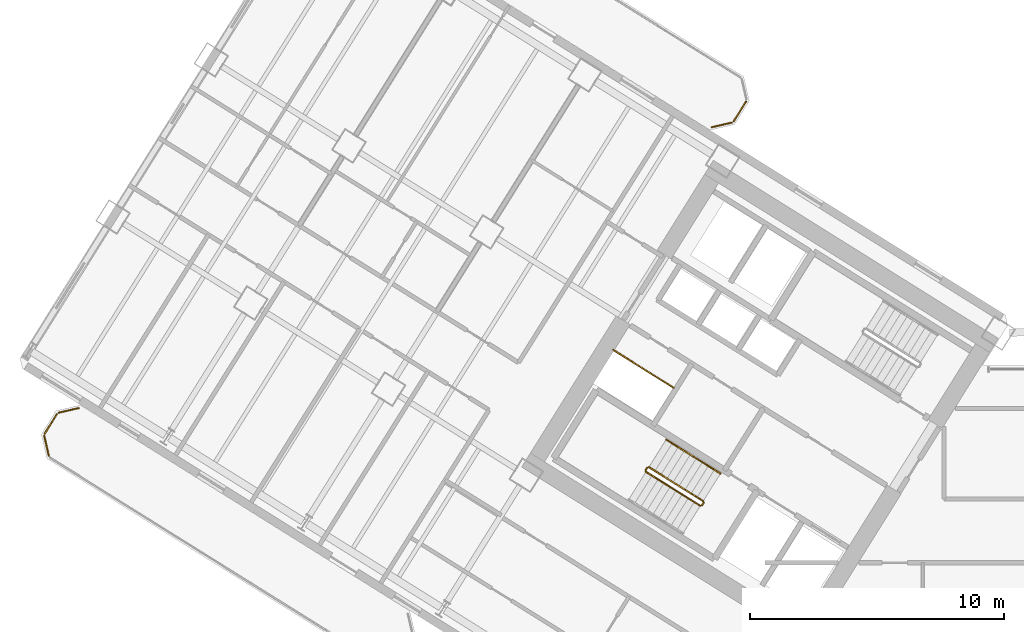
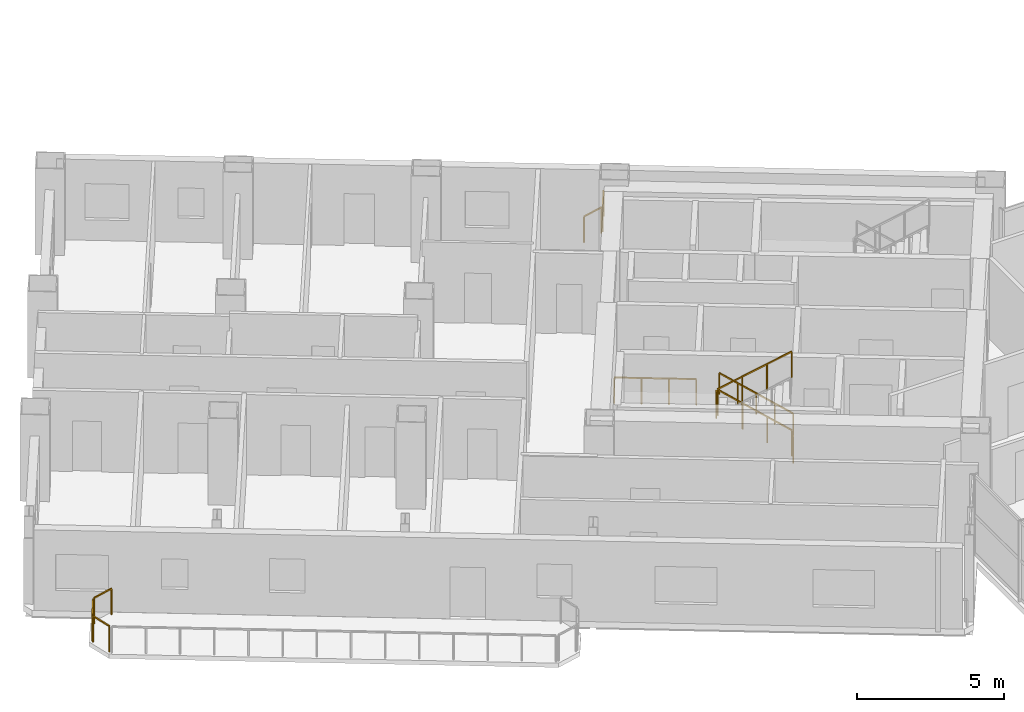
# One storey, part 22 of 24: 12 railings.
"""IFC4 building model written with IfcOpenShell, lengths in metres."""

from ifc_helpers import new_model, si_unit, direction, frame, origin, origin_2d, place, context, subcontext, project, spatial, rectangle, extrude, source, transform, mapped, material, type_object, element, save


model = new_model("IFC4")

# Units and contexts
model_context = context("Model", 3, precision=1e-05, world=origin(), true_north=direction((0.0, 1.0)))
body_context = subcontext(model_context, "Body", "Model", "MODEL_VIEW")
ifc_project = project(units=[si_unit("LENGTHUNIT", "METRE"), si_unit("AREAUNIT", "SQUARE_METRE"), si_unit("VOLUMEUNIT", "CUBIC_METRE"), si_unit("PLANEANGLEUNIT", "RADIAN"), si_unit("MASSUNIT", "GRAM", prefix="KILO")], contexts=[model_context])

# Site, building, storey
site_placement = place(None, origin())
site = spatial("IfcSite", under=ifc_project, at=site_placement, CompositionType="ELEMENT")
building_placement = place(site_placement, origin())
building = spatial("IfcBuilding", under=site, at=building_placement, Name="Tlacorven Tower", CompositionType="ELEMENT")
storey_placement = place(building_placement, frame((0.0, 0.0, 60.0)))
storey = spatial("IfcBuildingStorey", under=building, at=storey_placement, Name="L15", CompositionType="ELEMENT", Elevation=60.0)

# Railings
ifc_material = material(Name="Aluminium and painted steel balustrade", Category="steel")
railing_type_1 = type_object("IfcRailingType", Name="RL-GRD-1100", PredefinedType="GUARDRAIL", material=ifc_material)
shared_shape_1 = source(origin(), body_context, "Body", "SweptSolid", [
    extrude(rectangle(XDim=0.048095703125, YDim=0.048095703125, at=origin_2d()), frame((0.0, 0.0, 1.076171875), z_axis=(-0.848091358275, 0.529850024081, 0.0), x_axis=(-0.529850024081, -0.848091358275, 0.0)), (0.0, 0.0, 1.0), 2.800048828125),
    extrude(rectangle(XDim=0.0419921875, YDim=0.0419921875, at=origin_2d()), origin(), (0.0, 0.0, 1.0), 1.052001953125),
    extrude(rectangle(XDim=0.0419921875, YDim=0.0419921875, at=origin_2d()), frame((-0.79150390625, 0.49462890625, 0.0)), (0.0, 0.0, 1.0), 1.052001953125),
    extrude(rectangle(XDim=0.0419921875, YDim=0.0419921875, at=origin_2d()), frame((-1.583251953125, 0.989013671875, 0.0)), (0.0, 0.0, 1.0), 1.052001953125),
    extrude(rectangle(XDim=0.0419921875, YDim=0.0419921875, at=origin_2d()), frame((-2.374755859375, 1.483642578125, 0.0)), (0.0, 0.0, 1.0), 1.052001953125),
])
railing_1_placement = place(storey_placement, frame((27.9912109375, 22.32080078125, 0.0)))
element("IfcRailing", 1, at=railing_1_placement, inside=storey, type_object=railing_type_1, Name="L15 Electrical Riser W Shaft Guard 1", PredefinedType="GUARDRAIL", context=body_context, shape_type="MappedRepresentation", body=[
    mapped(shared_shape_1, transform((0.0, 0.0, 0.0), scale=1.0)),
])
railing_type_2 = type_object("IfcRailingType", Name="RL-BAL-1100", PredefinedType="BALUSTRADE", material=ifc_material)
shared_shape_2 = source(origin(), body_context, "Body", "SweptSolid", [
    extrude(rectangle(XDim=0.048095703125, YDim=0.048095703125, at=origin_2d()), frame((0.0, 0.0, 1.076171875), z_axis=(-0.52987865805, -0.848073468364, 0.0), x_axis=(0.848073468364, -0.52987865805, 0.0)), (0.0, 0.0, 1.0), 0.912353515625),
    extrude(rectangle(XDim=0.0419921875, YDim=0.0419921875, at=origin_2d()), origin(), (0.0, 0.0, 1.0), 1.052001953125),
    extrude(rectangle(XDim=0.0419921875, YDim=0.0419921875, at=origin_2d()), frame((-0.4833984375, -0.773681640625, 0.0)), (0.0, 0.0, 1.0), 1.052001953125),
])
railing_2_placement = place(storey_placement, frame((30.845947265625, 33.588623046875, 0.0)))
element("IfcRailing", 2, at=railing_2_placement, inside=storey, type_object=railing_type_2, Name="BAL-L15-W-IN Guard Railing 2", PredefinedType="BALUSTRADE", context=body_context, shape_type="MappedRepresentation", body=[
    mapped(shared_shape_2, transform((0.0, 0.0, 0.0), scale=1.0)),
])
shared_shape_3 = source(origin(), body_context, "Body", "SweptSolid", [
    extrude(rectangle(XDim=0.048095703125, YDim=0.048095703125, at=origin_2d()), frame((0.0, 0.0, 1.076171875), z_axis=(-0.225058334816, 0.974345290916, 0.0), x_axis=(-0.974345290916, -0.225058334816, 0.0)), (0.0, 0.0, 1.0), 0.80712890625),
    extrude(rectangle(XDim=0.0419921875, YDim=0.0419921875, at=origin_2d()), origin(), (0.0, 0.0, 1.0), 1.052001953125),
    extrude(rectangle(XDim=0.0419921875, YDim=0.0419921875, at=origin_2d()), frame((-0.181640625, 0.786376953125, 0.0)), (0.0, 0.0, 1.0), 1.052001953125),
])
railing_3_placement = place(storey_placement, frame((3.380859375, 19.62841796875, 0.0)))
element("IfcRailing", 3, at=railing_3_placement, inside=storey, type_object=railing_type_2, Name="BAL-L15-W-OUT Guard Railing 5", PredefinedType="BALUSTRADE", context=body_context, shape_type="MappedRepresentation", body=[
    mapped(shared_shape_3, transform((0.0, 0.0, 0.0), scale=1.0)),
])
shared_shape_4 = source(origin(), body_context, "Body", "SweptSolid", [
    extrude(rectangle(XDim=0.048095703125, YDim=0.048095703125, at=origin_2d()), frame((0.0, 0.0, 1.076171875), z_axis=(0.52987865805, 0.848073468364, 0.0), x_axis=(-0.848073468364, 0.52987865805, 0.0)), (0.0, 0.0, 1.0), 0.912353515625),
    extrude(rectangle(XDim=0.0419921875, YDim=0.0419921875, at=origin_2d()), origin(), (0.0, 0.0, 1.0), 1.052001953125),
    extrude(rectangle(XDim=0.0419921875, YDim=0.0419921875, at=origin_2d()), frame((0.4833984375, 0.773681640625, 0.0)), (0.0, 0.0, 1.0), 1.052001953125),
])
railing_4_placement = place(storey_placement, frame((3.214599609375, 20.505859375, 0.0)))
element("IfcRailing", 4, at=railing_4_placement, inside=storey, type_object=railing_type_2, Name="BAL-L15-W-OUT Guard Railing 6", PredefinedType="BALUSTRADE", context=body_context, shape_type="MappedRepresentation", body=[
    mapped(shared_shape_4, transform((0.0, 0.0, 0.0), scale=1.0)),
])
shared_shape_5 = source(origin(), body_context, "Body", "SweptSolid", [
    extrude(rectangle(XDim=0.048095703125, YDim=0.048095703125, at=origin_2d()), frame((0.0, 0.0, 1.076171875), z_axis=(0.974345290916, 0.225058334816, 0.0), x_axis=(-0.225058334816, 0.974345290916, 0.0)), (0.0, 0.0, 1.0), 0.80712890625),
    extrude(rectangle(XDim=0.0419921875, YDim=0.0419921875, at=origin_2d()), origin(), (0.0, 0.0, 1.0), 1.052001953125),
    extrude(rectangle(XDim=0.0419921875, YDim=0.0419921875, at=origin_2d()), frame((0.786376953125, 0.181640625, 0.0)), (0.0, 0.0, 1.0), 1.052001953125),
])
railing_5_placement = place(storey_placement, frame((3.773193359375, 21.3330078125, 0.0)))
element("IfcRailing", 5, at=railing_5_placement, inside=storey, type_object=railing_type_2, Name="BAL-L15-W-OUT Guard Railing 7", PredefinedType="BALUSTRADE", context=body_context, shape_type="MappedRepresentation", body=[
    mapped(shared_shape_5, transform((0.0, 0.0, 0.0), scale=1.0)),
])
shared_shape_6 = source(origin(), body_context, "Body", "SweptSolid", [
    extrude(rectangle(XDim=0.048095703125, YDim=0.048095703125, at=origin_2d()), frame((0.0, 0.0, 1.076171875), z_axis=(-0.974345290916, -0.225058334816, 0.0), x_axis=(0.225058334816, -0.974345290916, 0.0)), (0.0, 0.0, 1.0), 0.80712890625),
    extrude(rectangle(XDim=0.0419921875, YDim=0.0419921875, at=origin_2d()), origin(), (0.0, 0.0, 1.0), 1.052001953125),
    extrude(rectangle(XDim=0.0419921875, YDim=0.0419921875, at=origin_2d()), frame((-0.786376953125, -0.181640625, 0.0)), (0.0, 0.0, 1.0), 1.052001953125),
])
railing_6_placement = place(storey_placement, frame((30.287353515625, 32.761474609375, 0.0)))
element("IfcRailing", 6, at=railing_6_placement, inside=storey, type_object=railing_type_2, Name="BAL-L15-W-IN Guard Railing 3", PredefinedType="BALUSTRADE", context=body_context, shape_type="MappedRepresentation", body=[
    mapped(shared_shape_6, transform((0.0, 0.0, 0.0), scale=1.0)),
])
shared_shape_7 = source(origin(), body_context, "Body", "SweptSolid", [
    extrude(rectangle(XDim=0.048095703125, YDim=0.048095703125, at=origin_2d()), frame((0.0, 0.0, 1.076171875), z_axis=(-0.529084052582, -0.848569422795, 0.0), x_axis=(0.848569422795, -0.529084052582, 0.0)), (0.0, 0.0, 1.0), 0.119873046875),
    extrude(rectangle(XDim=0.0419921875, YDim=0.0419921875, at=origin_2d()), origin(), (0.0, 0.0, 1.0), 1.052001953125),
    extrude(rectangle(XDim=0.0419921875, YDim=0.0419921875, at=origin_2d()), frame((-0.0634765625, -0.101806640625, 0.0)), (0.0, 0.0, 1.0), 1.052001953125),
])
railing_7_placement = place(storey_placement, frame((29.176513671875, 17.782958984375, 0.0)))
element("IfcRailing", 7, at=railing_7_placement, inside=storey, type_object=railing_type_1, Name="L15 ST-W1 stair guard 4", PredefinedType="GUARDRAIL", context=body_context, shape_type="MappedRepresentation", body=[
    mapped(shared_shape_7, transform((0.0, 0.0, 0.0), scale=1.0)),
])
shared_shape_8 = source(origin(), body_context, "Body", "SweptSolid", [
    extrude(rectangle(XDim=0.048095703125, YDim=0.048095703125, at=origin_2d()), frame((0.0, 0.0, 1.076171875), z_axis=(-0.713319727316, 0.445773895627, 0.540796265334), x_axis=(-0.529955395941, -0.84802551749, 0.0)), (0.0, 0.0, 1.0), 2.995849609375),
    extrude(rectangle(XDim=0.0419921875, YDim=0.0419921875, at=origin_2d()), origin(), (0.0, 0.0, 1.0), 1.052001953125),
    extrude(rectangle(XDim=0.0419921875, YDim=0.0419921875, at=origin_2d()), frame((-0.71240234375, 0.445068359375, 0.5400390625)), (0.0, 0.0, 1.0), 1.052001953125),
    extrude(rectangle(XDim=0.0419921875, YDim=0.0419921875, at=origin_2d()), frame((-1.424560546875, 0.890380859375, 1.080078125)), (0.0, 0.0, 1.0), 1.052001953125),
    extrude(rectangle(XDim=0.0419921875, YDim=0.0419921875, at=origin_2d()), frame((-2.136962890625, 1.33544921875, 1.6201171875)), (0.0, 0.0, 1.0), 1.052001953125),
])
railing_8_placement = place(storey_placement, frame((29.16064453125, 17.851806640625, 0.179931640625)))
element("IfcRailing", 8, at=railing_8_placement, inside=storey, type_object=railing_type_1, Name="L15 ST-W1 stair guard 1", PredefinedType="GUARDRAIL", context=body_context, shape_type="MappedRepresentation", body=[
    mapped(shared_shape_8, transform((0.0, 0.0, 0.0), scale=1.0)),
])
shared_shape_9 = source(origin(), body_context, "Body", "SweptSolid", [
    extrude(rectangle(XDim=0.048095703125, YDim=0.048095703125, at=origin_2d()), frame((0.0, 0.0, 1.076171875), z_axis=(-0.530546985787, -0.847655529016, 0.0), x_axis=(0.847655529016, -0.530546985787, 0.0)), (0.0, 0.0, 1.0), 0.1201171875),
    extrude(rectangle(XDim=0.0419921875, YDim=0.0419921875, at=origin_2d()), origin(), (0.0, 0.0, 1.0), 1.052001953125),
    extrude(rectangle(XDim=0.0419921875, YDim=0.0419921875, at=origin_2d()), frame((-0.063720703125, -0.101806640625, 0.0)), (0.0, 0.0, 1.0), 1.052001953125),
])
railing_9_placement = place(storey_placement, frame((26.954833984375, 19.17138671875, 1.800048828125)))
element("IfcRailing", 9, at=railing_9_placement, inside=storey, type_object=railing_type_1, Name="L15 ST-W1 stair guard 2", PredefinedType="GUARDRAIL", context=body_context, shape_type="MappedRepresentation", body=[
    mapped(shared_shape_9, transform((0.0, 0.0, 0.0), scale=1.0)),
])
shared_shape_10 = source(origin(), body_context, "Body", "SweptSolid", [
    extrude(rectangle(XDim=0.048095703125, YDim=0.048095703125, at=origin_2d()), frame((0.0, 0.0, 1.076171875), z_axis=(0.713359751793, -0.4457479829, 0.540764828981), x_axis=(0.529911857636, 0.848052724267, 0.0)), (0.0, 0.0, 1.0), 2.99609375),
    extrude(rectangle(XDim=0.0419921875, YDim=0.0419921875, at=origin_2d()), origin(), (0.0, 0.0, 1.0), 1.052001953125),
    extrude(rectangle(XDim=0.0419921875, YDim=0.0419921875, at=origin_2d()), frame((0.71240234375, -0.445068359375, 0.5400390625)), (0.0, 0.0, 1.0), 1.052001953125),
    extrude(rectangle(XDim=0.0419921875, YDim=0.0419921875, at=origin_2d()), frame((1.4248046875, -0.890380859375, 1.080078125)), (0.0, 0.0, 1.0), 1.052001953125),
    extrude(rectangle(XDim=0.0419921875, YDim=0.0419921875, at=origin_2d()), frame((2.13720703125, -1.33544921875, 1.6201171875)), (0.0, 0.0, 1.0), 1.052001953125),
])
railing_10_placement = place(storey_placement, frame((26.906982421875, 19.000732421875, 1.97998046875)))
element("IfcRailing", 10, at=railing_10_placement, inside=storey, type_object=railing_type_1, Name="L15 ST-W1 stair guard 3", PredefinedType="GUARDRAIL", context=body_context, shape_type="MappedRepresentation", body=[
    mapped(shared_shape_10, transform((0.0, 0.0, 0.0), scale=1.0)),
])
railing_type_3 = type_object("IfcRailingType", Name="RL-HND-0900", PredefinedType="HANDRAIL", material=ifc_material)
shared_shape_11 = source(origin(), body_context, "Body", "SweptSolid", [
    extrude(rectangle(XDim=0.048095703125, YDim=0.048095703125, at=origin_2d()), frame((0.0, 0.0, 0.8759765625), z_axis=(-0.713359751793, 0.4457479829, 0.540764828981), x_axis=(-0.529911857636, -0.848052724267, 0.0)), (0.0, 0.0, 1.0), 1.498046875),
    extrude(rectangle(XDim=0.0419921875, YDim=0.0419921875, at=origin_2d()), origin(), (0.0, 0.0, 1.0), 0.851806640625),
    extrude(rectangle(XDim=0.0419921875, YDim=0.0419921875, at=origin_2d()), frame((-0.5341796875, 0.333984375, 0.405029296875)), (0.0, 0.0, 1.0), 0.851806640625),
    extrude(rectangle(XDim=0.0419921875, YDim=0.0419921875, at=origin_2d()), frame((-1.068603515625, 0.667724609375, 0.81005859375)), (0.0, 0.0, 1.0), 0.851806640625),
])
for number, where, name in (
    (11, (29.839111328125, 18.937255859375, 0.179931640625), "L15 ST-W1 stair handrail 1"),
    (12, (28.7705078125, 19.60498046875, 0.989990234375), "L15 ST-W1 stair handrail 2"),
):
    element("IfcRailing", number, at=place(storey_placement, frame(where)), inside=storey, type_object=railing_type_3, Name=name, PredefinedType="HANDRAIL", context=body_context, shape_type="MappedRepresentation", body=[
        mapped(shared_shape_11, transform((0.0, 0.0, 0.0), scale=1.0)),
    ])

save(model, "model.ifc")
